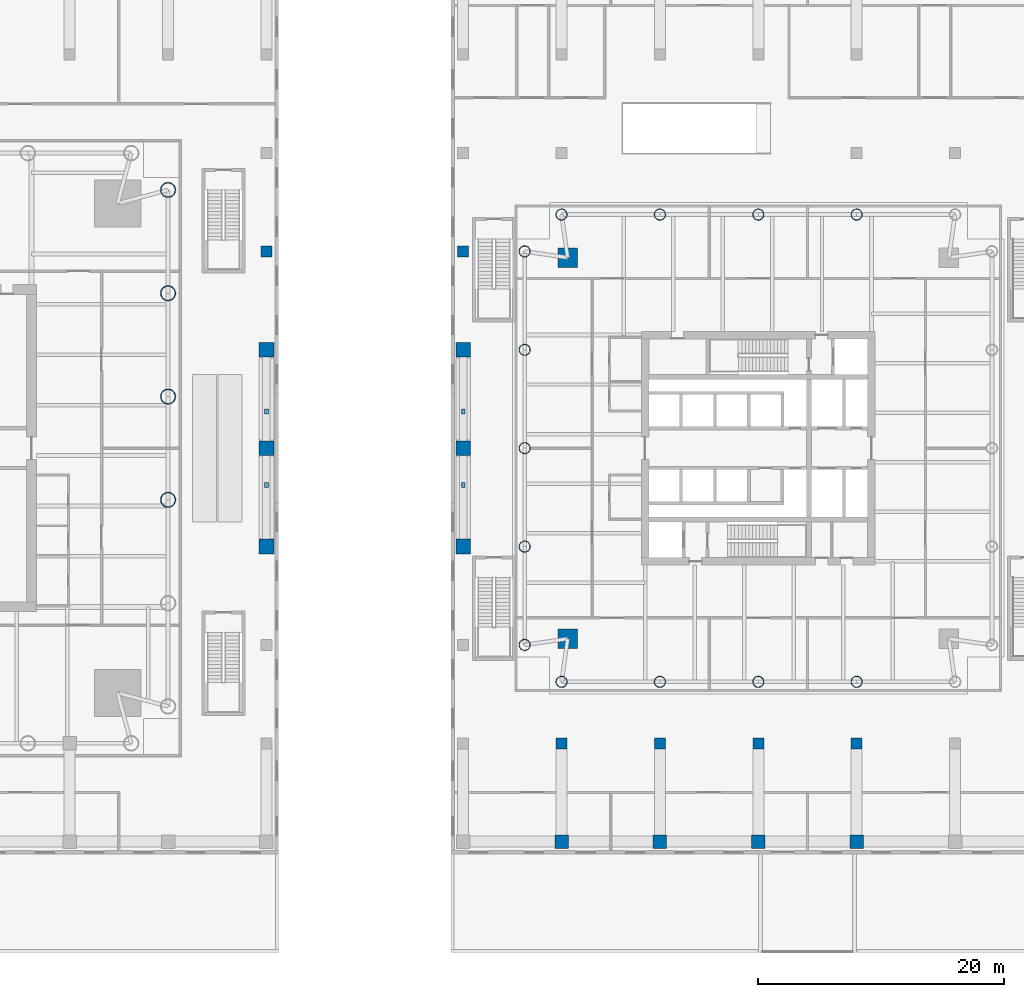
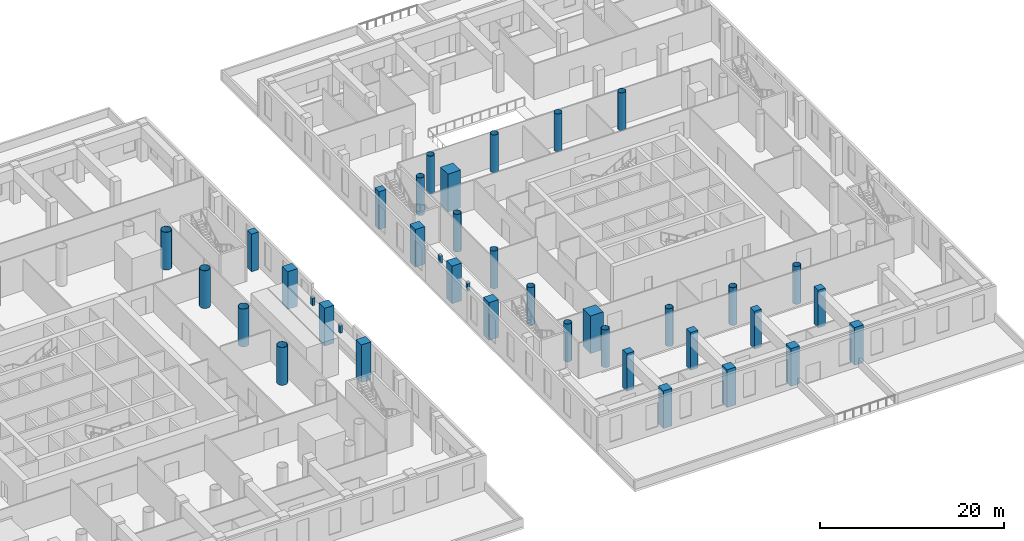
# One storey, part 2 of 26: 39 columns.
"""IFC4 building model written with IfcOpenShell, lengths in metres."""

from ifc_helpers import new_model, si_unit, direction, frame, origin, origin_2d, place, context, subcontext, project, spatial, rectangle, hollow_circle, extrude, material, material_profile, profile_set, type_object, element, save


model = new_model("IFC4")

# Units and contexts
model_context = context("Model", 3, precision=1e-05, world=origin(), true_north=direction((0.0, 1.0)))
body_context = subcontext(model_context, "Body", "Model", "MODEL_VIEW")
ifc_project = project(units=[si_unit("LENGTHUNIT", "METRE"), si_unit("AREAUNIT", "SQUARE_METRE"), si_unit("VOLUMEUNIT", "CUBIC_METRE"), si_unit("PLANEANGLEUNIT", "RADIAN"), si_unit("MASSUNIT", "GRAM", prefix="KILO")], contexts=[model_context])

# Site, building, storey
site_placement = place(None, origin())
site = spatial("IfcSite", under=ifc_project, at=site_placement, CompositionType="ELEMENT")
building_placement = place(site_placement, origin())
building = spatial("IfcBuilding", under=site, at=building_placement, Name="Ostroluk Exchange", CompositionType="ELEMENT")
storey_placement = place(building_placement, frame((0.0, 0.0, 6.0)))
storey = spatial("IfcBuildingStorey", under=building, at=storey_placement, Name="L01", CompositionType="ELEMENT", Elevation=6.0)

# Columns
ifc_material_1 = material(Name="Steel S355", Category="steel")
ifc_material_profile_1 = material_profile(ifc_material_1, rectangle(XDim=0.300048828125, YDim=0.39990234375, at=origin_2d()), Name="PL 300x400")
ifc_profile_set_1 = profile_set([ifc_material_profile_1], Name="Steel S355")
column_type_1 = type_object("IfcColumnType", Name="Bearing pedestal 300 x 400 x 1000", PredefinedType="COLUMN", material=ifc_profile_set_1)
for number, where, z_axis, x_axis, name in (
    (1, (77.0, 43.0, 3.110107421875), (0.0, 0.0, 1.0), (1.0, 0.0, 0.0), "BR1 S bearing pedestal W"),
    (2, (93.0, 43.0, 3.110107421875), (0.0, 0.0, 1.0), (1.0, 0.0, 0.0), "BR1 S bearing pedestal E"),
    (3, (77.0, 49.0, 3.110107421875), (0.0, 0.0, 1.0), (1.0, 0.0, 0.0), "BR1 N bearing pedestal W"),
    (4, (93.0, 49.0, 3.110107421875), (0.0, 0.0, 1.0), (1.0, 0.0, 0.0), "BR1 N bearing pedestal E"),
):
    element("IfcColumn", number, at=place(storey_placement, frame(where, z_axis=z_axis, x_axis=x_axis)), inside=storey, type_object=column_type_1, Name=name, PredefinedType="COLUMN", context=body_context, shape_type="SweptSolid", body=[
        extrude(rectangle(XDim=0.300048828125, YDim=0.39990234375, at=origin_2d()), origin(), (0.0, 0.0, 1.0), 1.0),
    ])
ifc_material_2 = material(Name="Concrete C50/60", Category="concrete")
ifc_material_profile_2 = material_profile(ifc_material_2, rectangle(XDim=1.60009765625, YDim=1.60009765625, at=origin_2d()), Name="RC 1600x1600")
ifc_profile_set_2 = profile_set([ifc_material_profile_2], Name="Concrete C50/60")
column_type_2 = type_object("IfcColumnType", Name="Mega column RC 1600x1600", PredefinedType="COLUMN", material=ifc_profile_set_2)
for number, where, z_axis, x_axis, name in (
    (5, (101.5, 61.5, 0.0), (0.0, 0.0, 1.0), (1.0, 0.0, 0.0), "T2 mega column NW"),
    (6, (101.5, 30.5, 0.0), (0.0, 0.0, 1.0), (1.0, 0.0, 0.0), "T2 mega column SW"),
):
    element("IfcColumn", number, at=place(storey_placement, frame(where, z_axis=z_axis, x_axis=x_axis)), inside=storey, type_object=column_type_2, Name=name, PredefinedType="COLUMN", context=body_context, shape_type="SweptSolid", body=[
        extrude(rectangle(XDim=1.60009765625, YDim=1.60009765625, at=origin_2d()), origin(), (0.0, 0.0, 1.0), 5.0),
    ])
ifc_material_3 = material(Name="Steel S460", Category="steel")
ifc_material_profile_3 = material_profile(ifc_material_3, hollow_circle(Radius=0.609619140625, WallThickness=0.0400390625, at=origin_2d()), Name="CHS 1219x40")
ifc_profile_set_3 = profile_set([ifc_material_profile_3], Name="Steel S460")
column_type_3 = type_object("IfcColumnType", Name="Perimeter column CHS 1219x40", PredefinedType="COLUMN", material=ifc_profile_set_3)
for number, where, z_axis, x_axis, name in (
    (7, (69.0, 67.0, 0.0), (0.0, 0.0, 1.0), (1.0, 0.0, 0.0), "T1 east face column E1"),
    (8, (69.0, 41.800048828125, 0.0), (0.0, 0.0, 1.0), (1.0, 0.0, 0.0), "T1 east face column I2"),
    (9, (69.0, 50.199951171875, 0.0), (0.0, 0.0, 1.0), (1.0, 0.0, 0.0), "T1 east face column I3"),
    (10, (69.0, 58.60009765625, 0.0), (0.0, 0.0, 1.0), (1.0, 0.0, 0.0), "T1 east face column I4"),
):
    element("IfcColumn", number, at=place(storey_placement, frame(where, z_axis=z_axis, x_axis=x_axis)), inside=storey, type_object=column_type_3, Name=name, PredefinedType="COLUMN", context=body_context, shape_type="SweptSolid", body=[
        extrude(hollow_circle(Radius=0.609619140625, WallThickness=0.0400390625, at=origin_2d()), origin(), (0.0, 0.0, 1.0), 5.0),
    ])
ifc_material_4 = material(Name="Steel S460", Category="steel")
ifc_material_profile_4 = material_profile(ifc_material_4, hollow_circle(Radius=0.45703125, WallThickness=0.030029296875, at=origin_2d()), Name="CHS 914x30")
ifc_profile_set_4 = profile_set([ifc_material_profile_4], Name="Steel S460")
column_type_4 = type_object("IfcColumnType", Name="Perimeter column CHS 914x30", PredefinedType="COLUMN", material=ifc_profile_set_4)
for number, where, z_axis, x_axis, name in (
    (11, (101.0, 65.0, 0.0), (0.0, 0.0, 1.0), (1.0, 0.0, 0.0), "T2 north face column E1"),
    (12, (125.0, 65.0, 0.0), (0.0, 0.0, 1.0), (1.0, 0.0, 0.0), "T2 north face column I1"),
    (13, (117.0, 65.0, 0.0), (0.0, 0.0, 1.0), (1.0, 0.0, 0.0), "T2 north face column I2"),
    (14, (109.0, 65.0, 0.0), (0.0, 0.0, 1.0), (1.0, 0.0, 0.0), "T2 north face column I3"),
    (15, (98.0, 62.0, 0.0), (0.0, 0.0, 1.0), (1.0, 0.0, 0.0), "T2 west face column E0"),
    (16, (98.0, 30.0, 0.0), (0.0, 0.0, 1.0), (1.0, 0.0, 0.0), "T2 west face column E1"),
    (17, (98.0, 54.0, 0.0), (0.0, 0.0, 1.0), (1.0, 0.0, 0.0), "T2 west face column I1"),
    (18, (98.0, 46.0, 0.0), (0.0, 0.0, 1.0), (1.0, 0.0, 0.0), "T2 west face column I2"),
    (19, (98.0, 38.0, 0.0), (0.0, 0.0, 1.0), (1.0, 0.0, 0.0), "T2 west face column I3"),
    (20, (101.0, 27.0, 0.0), (0.0, 0.0, 1.0), (1.0, 0.0, 0.0), "T2 south face column E0"),
    (21, (109.0, 27.0, 0.0), (0.0, 0.0, 1.0), (1.0, 0.0, 0.0), "T2 south face column I1"),
    (22, (117.0, 27.0, 0.0), (0.0, 0.0, 1.0), (1.0, 0.0, 0.0), "T2 south face column I2"),
    (23, (125.0, 27.0, 0.0), (0.0, 0.0, 1.0), (1.0, 0.0, 0.0), "T2 south face column I3"),
):
    element("IfcColumn", number, at=place(storey_placement, frame(where, z_axis=z_axis, x_axis=x_axis)), inside=storey, type_object=column_type_4, Name=name, PredefinedType="COLUMN", context=body_context, shape_type="SweptSolid", body=[
        extrude(hollow_circle(Radius=0.45703125, WallThickness=0.030029296875, at=origin_2d()), origin(), (0.0, 0.0, 1.0), 5.0),
    ])
ifc_material_5 = material(Name="Concrete C50/60", Category="concrete")
ifc_material_profile_5 = material_profile(ifc_material_5, rectangle(XDim=1.10009765625, YDim=1.10009765625, at=origin_2d()), Name="RC 1100x1100")
ifc_profile_set_5 = profile_set([ifc_material_profile_5], Name="Concrete C50/60")
column_type_5 = type_object("IfcColumnType", Name="Podium column RC 1100x1100", PredefinedType="COLUMN", material=ifc_profile_set_5)
for number, where, z_axis, x_axis, name in (
    (24, (101.0, 14.0, 0.0), (0.0, 0.0, 1.0), (1.0, 0.0, 0.0), "Podium column 101/14"),
    (25, (109.0, 14.0, 0.0), (0.0, 0.0, 1.0), (1.0, 0.0, 0.0), "Podium column 109/14"),
    (26, (117.0, 14.0, 0.0), (0.0, 0.0, 1.0), (1.0, 0.0, 0.0), "Podium column 117/14"),
    (27, (125.0, 14.0, 0.0), (0.0, 0.0, 1.0), (1.0, 0.0, 0.0), "Podium column 125/14"),
):
    element("IfcColumn", number, at=place(storey_placement, frame(where, z_axis=z_axis, x_axis=x_axis)), inside=storey, type_object=column_type_5, Name=name, PredefinedType="COLUMN", context=body_context, shape_type="SweptSolid", body=[
        extrude(rectangle(XDim=1.10009765625, YDim=1.10009765625, at=origin_2d()), origin(), (0.0, 0.0, 1.0), 5.0),
    ])
ifc_material_6 = material(Name="Concrete C50/60", Category="concrete")
ifc_material_profile_6 = material_profile(ifc_material_6, rectangle(XDim=1.199951171875, YDim=1.199951171875, at=origin_2d()), Name="RC 1200x1200")
ifc_profile_set_6 = profile_set([ifc_material_profile_6], Name="Concrete C50/60")
column_type_6 = type_object("IfcColumnType", Name="Podium column RC 1200x1200", PredefinedType="COLUMN", material=ifc_profile_set_6)
for number, where, z_axis, x_axis, name in (
    (28, (77.0, 38.0, 0.0), (0.0, 0.0, 1.0), (1.0, 0.0, 0.0), "Podium column 77/38"),
    (29, (77.0, 46.0, 0.0), (0.0, 0.0, 1.0), (1.0, 0.0, 0.0), "Podium column 77/46"),
    (30, (77.0, 54.0, 0.0), (0.0, 0.0, 1.0), (1.0, 0.0, 0.0), "Podium column 77/54"),
    (31, (93.0, 38.0, 0.0), (0.0, 0.0, 1.0), (1.0, 0.0, 0.0), "Podium column 93/38"),
    (32, (93.0, 46.0, 0.0), (0.0, 0.0, 1.0), (1.0, 0.0, 0.0), "Podium column 93/46"),
    (33, (93.0, 54.0, 0.0), (0.0, 0.0, 1.0), (1.0, 0.0, 0.0), "Podium column 93/54"),
):
    element("IfcColumn", number, at=place(storey_placement, frame(where, z_axis=z_axis, x_axis=x_axis)), inside=storey, type_object=column_type_6, Name=name, PredefinedType="COLUMN", context=body_context, shape_type="SweptSolid", body=[
        extrude(rectangle(XDim=1.199951171875, YDim=1.199951171875, at=origin_2d()), origin(), (0.0, 0.0, 1.0), 5.0),
    ])
ifc_material_7 = material(Name="Concrete C50/60", Category="concrete")
ifc_material_profile_7 = material_profile(ifc_material_7, rectangle(XDim=0.89990234375, YDim=0.89990234375, at=origin_2d()), Name="RC 900x900")
ifc_profile_set_7 = profile_set([ifc_material_profile_7], Name="Concrete C50/60")
column_type_7 = type_object("IfcColumnType", Name="Podium column RC 900x900", PredefinedType="COLUMN", material=ifc_profile_set_7)
for number, where, z_axis, x_axis, name in (
    (34, (77.0, 62.0, 0.0), (0.0, 0.0, 1.0), (1.0, 0.0, 0.0), "Podium column 77/62"),
    (35, (93.0, 62.0, 0.0), (0.0, 0.0, 1.0), (1.0, 0.0, 0.0), "Podium column 93/62"),
    (36, (101.0, 22.0, 0.0), (0.0, 0.0, 1.0), (1.0, 0.0, 0.0), "Podium column 101/22"),
    (37, (109.0, 22.0, 0.0), (0.0, 0.0, 1.0), (1.0, 0.0, 0.0), "Podium column 109/22"),
    (38, (117.0, 22.0, 0.0), (0.0, 0.0, 1.0), (1.0, 0.0, 0.0), "Podium column 117/22"),
    (39, (125.0, 22.0, 0.0), (0.0, 0.0, 1.0), (1.0, 0.0, 0.0), "Podium column 125/22"),
):
    element("IfcColumn", number, at=place(storey_placement, frame(where, z_axis=z_axis, x_axis=x_axis)), inside=storey, type_object=column_type_7, Name=name, PredefinedType="COLUMN", context=body_context, shape_type="SweptSolid", body=[
        extrude(rectangle(XDim=0.89990234375, YDim=0.89990234375, at=origin_2d()), origin(), (0.0, 0.0, 1.0), 5.0),
    ])

save(model, "model.ifc")
